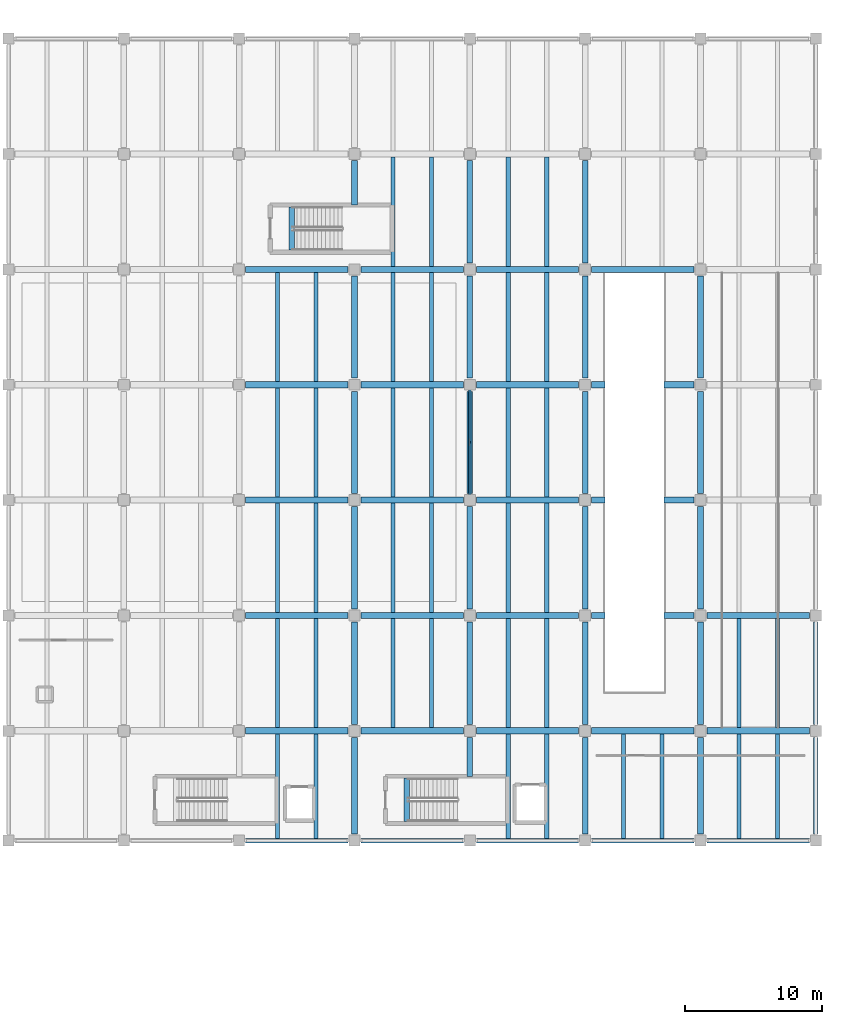
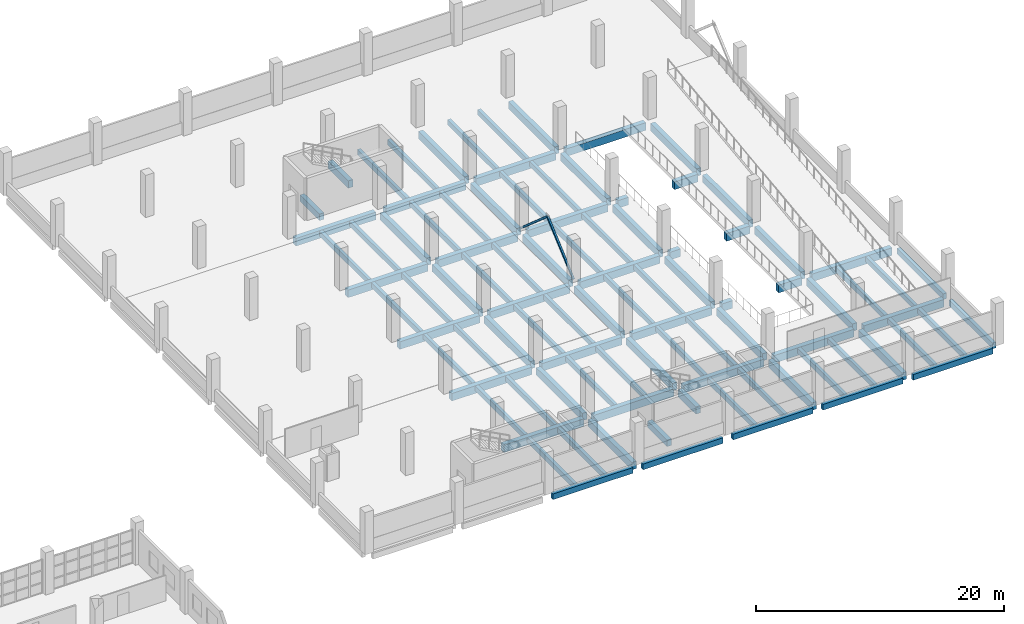
# One storey, part 112 of 177: 95 beams, 2 members.
"""IFC4 building model written with IfcOpenShell, lengths in metres."""

from ifc_helpers import new_model, si_unit, direction, frame, origin, origin_2d, place, context, subcontext, project, spatial, rectangle, hollow_rectangle, extrude, material, material_profile, profile_set, type_object, element, save


model = new_model("IFC4")

# Units and contexts
model_context = context("Model", 3, precision=1e-05, world=origin(), true_north=direction((0.0, 1.0)))
body_context = subcontext(model_context, "Body", "Model", "MODEL_VIEW")
ifc_project = project(units=[si_unit("LENGTHUNIT", "METRE"), si_unit("AREAUNIT", "SQUARE_METRE"), si_unit("VOLUMEUNIT", "CUBIC_METRE"), si_unit("PLANEANGLEUNIT", "RADIAN"), si_unit("MASSUNIT", "GRAM", prefix="KILO"), si_unit("THERMODYNAMICTEMPERATUREUNIT", "KELVIN"), si_unit("POWERUNIT", "WATT")], contexts=[model_context])

# Site, building, storey
site_placement = place(None, origin())
site = spatial("IfcSite", under=ifc_project, at=site_placement, CompositionType="ELEMENT")
building_placement = place(site_placement, origin())
building = spatial("IfcBuilding", under=site, at=building_placement, Name="Mavoryth Pier Ferry Terminal", CompositionType="ELEMENT")
storey_placement = place(building_placement, frame((0.0, 0.0, 5.43994140625)))
storey = spatial("IfcBuildingStorey", under=building, at=storey_placement, Name="L01", CompositionType="ELEMENT", Elevation=5.43994140625)

# Members
ifc_material_1 = material(Name="Steel S355J2", Category="steel")
ifc_material_profile_1 = material_profile(ifc_material_1, hollow_rectangle(XDim=0.179931640625, YDim=0.179931640625, WallThickness=0.010009765625, InnerFilletRadius=0.010009765625, OuterFilletRadius=0.02001953125, at=origin_2d()), Name="RHS 180x180x10.0", Category="steel")
ifc_profile_set_1 = profile_set([ifc_material_profile_1], Name="Steel S355J2 - RHS 180x180x10.0")
member_type = type_object("IfcMemberType", Name="Brace-Box-RHS180", PredefinedType="BRACE", material=ifc_profile_set_1)
for number, where, z_axis, x_axis, name in (
    (1, (142.800048828125, 38.800048828125, 0.0), (0.0, 0.753891827784, 0.656998563165), (-1.0, 0.0, 0.0), "Steel Member MB-L01-0318"),
    (2, (142.800048828125, 47.199951171875, 0.0), (0.0, -0.753891827784, 0.656998563165), (1.0, 0.0, 0.0), "Steel Member MB-L01-0319"),
):
    element("IfcMember", number, at=place(storey_placement, frame(where, z_axis=z_axis, x_axis=x_axis)), inside=storey, type_object=member_type, Name=name, PredefinedType="BRACE", context=body_context, shape_type="SweptSolid", body=[
        extrude(hollow_rectangle(XDim=0.179931640625, YDim=0.179931640625, WallThickness=0.010009765625, InnerFilletRadius=0.010009765625, OuterFilletRadius=0.02001953125, at=origin_2d()), origin(), (0.0, 0.0, 1.0), 5.571044921875),
    ])

# Beams
ifc_material_2 = material(Name="Concrete C35/45", Category="concrete")
ifc_material_profile_2 = material_profile(ifc_material_2, rectangle(XDim=0.39990234375, YDim=0.64990234375, at=origin_2d()), Name="RC 400x650", Category="concrete")
ifc_profile_set_2 = profile_set([ifc_material_profile_2], Name="Concrete C35/45 - RC 400x650")
beam_type_1 = type_object("IfcBeamType", Name="Girder-RC-400x650", PredefinedType="BEAM", material=ifc_profile_set_2)
beam_1_placement = place(storey_placement, frame((138.219970703125, 15.39990234375, -0.324951171875), z_axis=(0.0, 1.0, 0.0), x_axis=(-1.0, 0.0, 0.0)))
element("IfcBeam", 3, at=beam_1_placement, inside=storey, type_object=beam_type_1, Name="Beam B01-BG05-1578", PredefinedType="BEAM", context=body_context, shape_type="SweptSolid", body=[
    extrude(rectangle(XDim=0.39990234375, YDim=0.64990234375, at=origin_2d()), origin(), (0.0, 0.0, 1.0), 3.150146484375),
])
beam_2_placement = place(storey_placement, frame((129.820068359375, 57.0, -0.324951171875), z_axis=(0.0, 1.0, 0.0), x_axis=(-1.0, 0.0, 0.0)))
element("IfcBeam", 4, at=beam_2_placement, inside=storey, type_object=beam_type_1, Name="Beam B01-BG05-1581", PredefinedType="BEAM", context=body_context, shape_type="SweptSolid", body=[
    extrude(rectangle(XDim=0.39990234375, YDim=0.64990234375, at=origin_2d()), origin(), (0.0, 0.0, 1.0), 3.14990234375),
])
ifc_material_profile_3 = material_profile(ifc_material_2, rectangle(XDim=0.419921875, YDim=0.719970703125, at=origin_2d()), Name="RC 420x720", Category="concrete")
ifc_profile_set_3 = profile_set([ifc_material_profile_3], Name="Concrete C35/45 - RC 420x720")
beam_type_2 = type_object("IfcBeamType", Name="Girder-RC-420x720", PredefinedType="BEAM", material=ifc_profile_set_3)
beam_3_placement = place(storey_placement, frame((134.39990234375, 14.47509765625, -0.679931640625), z_axis=(0.0, 1.0, 0.0), x_axis=(-1.0, 0.0, 0.0)))
element("IfcBeam", 5, at=beam_3_placement, inside=storey, type_object=beam_type_2, Name="Beam B01-BG03-0391", PredefinedType="BEAM", context=body_context, shape_type="SweptSolid", body=[
    extrude(rectangle(XDim=0.419921875, YDim=0.719970703125, at=origin_2d()), origin(), (0.0, 0.0, 1.0), 7.0498046875),
])
for number, where, z_axis, x_axis, name in (
    (6, (134.39990234375, 22.47509765625, -0.679931640625), (0.0, 1.0, 0.0), (-1.0, 0.0, 0.0), "Beam B01-BG03-0392"),
    (7, (134.39990234375, 30.875, -0.679931640625), (0.0, 1.0, 0.0), (-1.0, 0.0, 0.0), "Beam B01-BG03-0393"),
):
    element("IfcBeam", number, at=place(storey_placement, frame(where, z_axis=z_axis, x_axis=x_axis)), inside=storey, type_object=beam_type_2, Name=name, PredefinedType="BEAM", context=body_context, shape_type="SweptSolid", body=[
        extrude(rectangle(XDim=0.419921875, YDim=0.719970703125, at=origin_2d()), origin(), (0.0, 0.0, 1.0), 7.449951171875),
    ])
beam_4_placement = place(storey_placement, frame((134.39990234375, 39.27490234375, -0.679931640625), z_axis=(0.0, 1.0, 0.0), x_axis=(-1.0, 0.0, 0.0)))
element("IfcBeam", 8, at=beam_4_placement, inside=storey, type_object=beam_type_2, Name="Beam B01-BG03-0394", PredefinedType="BEAM", context=body_context, shape_type="SweptSolid", body=[
    extrude(rectangle(XDim=0.419921875, YDim=0.719970703125, at=origin_2d()), origin(), (0.0, 0.0, 1.0), 7.4501953125),
])
beam_5_placement = place(storey_placement, frame((134.39990234375, 47.675048828125, -0.679931640625), z_axis=(0.0, 1.0, 0.0), x_axis=(-1.0, 0.0, 0.0)))
element("IfcBeam", 9, at=beam_5_placement, inside=storey, type_object=beam_type_2, Name="Beam B01-BG03-0395", PredefinedType="BEAM", context=body_context, shape_type="SweptSolid", body=[
    extrude(rectangle(XDim=0.419921875, YDim=0.719970703125, at=origin_2d()), origin(), (0.0, 0.0, 1.0), 7.449951171875),
])
beam_6_placement = place(storey_placement, frame((134.39990234375, 60.280029296875, -0.679931640625), z_axis=(0.0, 1.0, 0.0), x_axis=(-1.0, 0.0, 0.0)))
element("IfcBeam", 10, at=beam_6_placement, inside=storey, type_object=beam_type_2, Name="Beam B01-BG03-0396", PredefinedType="BEAM", context=body_context, shape_type="SweptSolid", body=[
    extrude(rectangle(XDim=0.419921875, YDim=0.719970703125, at=origin_2d()), origin(), (0.0, 0.0, 1.0), 3.244873046875),
])
beam_7_placement = place(storey_placement, frame((142.800048828125, 18.679931640625, -0.679931640625), z_axis=(0.0, 1.0, 0.0), x_axis=(-1.0, 0.0, 0.0)))
element("IfcBeam", 11, at=beam_7_placement, inside=storey, type_object=beam_type_2, Name="Beam B01-BG03-0398", PredefinedType="BEAM", context=body_context, shape_type="SweptSolid", body=[
    extrude(rectangle(XDim=0.419921875, YDim=0.719970703125, at=origin_2d()), origin(), (0.0, 0.0, 1.0), 2.844970703125),
])
for number, where, z_axis, x_axis, name in (
    (12, (142.800048828125, 22.47509765625, -0.679931640625), (0.0, 1.0, 0.0), (-1.0, 0.0, 0.0), "Beam B01-BG03-0399"),
    (13, (142.800048828125, 30.875, -0.679931640625), (0.0, 1.0, 0.0), (-1.0, 0.0, 0.0), "Beam B01-BG03-0400"),
):
    element("IfcBeam", number, at=place(storey_placement, frame(where, z_axis=z_axis, x_axis=x_axis)), inside=storey, type_object=beam_type_2, Name=name, PredefinedType="BEAM", context=body_context, shape_type="SweptSolid", body=[
        extrude(rectangle(XDim=0.419921875, YDim=0.719970703125, at=origin_2d()), origin(), (0.0, 0.0, 1.0), 7.449951171875),
    ])
beam_8_placement = place(storey_placement, frame((142.800048828125, 39.27490234375, -0.679931640625), z_axis=(0.0, 1.0, 0.0), x_axis=(-1.0, 0.0, 0.0)))
element("IfcBeam", 14, at=beam_8_placement, inside=storey, type_object=beam_type_2, Name="Beam B01-BG03-0401", PredefinedType="BEAM", context=body_context, shape_type="SweptSolid", body=[
    extrude(rectangle(XDim=0.419921875, YDim=0.719970703125, at=origin_2d()), origin(), (0.0, 0.0, 1.0), 7.4501953125),
])
for number, where, z_axis, x_axis, name in (
    (15, (142.800048828125, 47.675048828125, -0.679931640625), (0.0, 1.0, 0.0), (-1.0, 0.0, 0.0), "Beam B01-BG03-0402"),
    (16, (142.800048828125, 56.074951171875, -0.679931640625), (0.0, 1.0, 0.0), (-1.0, 0.0, 0.0), "Beam B01-BG03-0403"),
):
    element("IfcBeam", number, at=place(storey_placement, frame(where, z_axis=z_axis, x_axis=x_axis)), inside=storey, type_object=beam_type_2, Name=name, PredefinedType="BEAM", context=body_context, shape_type="SweptSolid", body=[
        extrude(rectangle(XDim=0.419921875, YDim=0.719970703125, at=origin_2d()), origin(), (0.0, 0.0, 1.0), 7.449951171875),
    ])
beam_9_placement = place(storey_placement, frame((151.199951171875, 14.47509765625, -0.679931640625), z_axis=(0.0, 1.0, 0.0), x_axis=(-1.0, 0.0, 0.0)))
element("IfcBeam", 17, at=beam_9_placement, inside=storey, type_object=beam_type_2, Name="Beam B01-BG03-0405", PredefinedType="BEAM", context=body_context, shape_type="SweptSolid", body=[
    extrude(rectangle(XDim=0.419921875, YDim=0.719970703125, at=origin_2d()), origin(), (0.0, 0.0, 1.0), 7.0498046875),
])
for number, where, z_axis, x_axis, name in (
    (18, (151.199951171875, 22.47509765625, -0.679931640625), (0.0, 1.0, 0.0), (-1.0, 0.0, 0.0), "Beam B01-BG03-0406"),
    (19, (151.199951171875, 30.875, -0.679931640625), (0.0, 1.0, 0.0), (-1.0, 0.0, 0.0), "Beam B01-BG03-0407"),
):
    element("IfcBeam", number, at=place(storey_placement, frame(where, z_axis=z_axis, x_axis=x_axis)), inside=storey, type_object=beam_type_2, Name=name, PredefinedType="BEAM", context=body_context, shape_type="SweptSolid", body=[
        extrude(rectangle(XDim=0.419921875, YDim=0.719970703125, at=origin_2d()), origin(), (0.0, 0.0, 1.0), 7.449951171875),
    ])
beam_10_placement = place(storey_placement, frame((151.199951171875, 39.27490234375, -0.679931640625), z_axis=(0.0, 1.0, 0.0), x_axis=(-1.0, 0.0, 0.0)))
element("IfcBeam", 20, at=beam_10_placement, inside=storey, type_object=beam_type_2, Name="Beam B01-BG03-0408", PredefinedType="BEAM", context=body_context, shape_type="SweptSolid", body=[
    extrude(rectangle(XDim=0.419921875, YDim=0.719970703125, at=origin_2d()), origin(), (0.0, 0.0, 1.0), 7.4501953125),
])
for number, where, z_axis, x_axis, name in (
    (21, (151.199951171875, 47.675048828125, -0.679931640625), (0.0, 1.0, 0.0), (-1.0, 0.0, 0.0), "Beam B01-BG03-0409"),
    (22, (151.199951171875, 56.074951171875, -0.679931640625), (0.0, 1.0, 0.0), (-1.0, 0.0, 0.0), "Beam B01-BG03-0410"),
):
    element("IfcBeam", number, at=place(storey_placement, frame(where, z_axis=z_axis, x_axis=x_axis)), inside=storey, type_object=beam_type_2, Name=name, PredefinedType="BEAM", context=body_context, shape_type="SweptSolid", body=[
        extrude(rectangle(XDim=0.419921875, YDim=0.719970703125, at=origin_2d()), origin(), (0.0, 0.0, 1.0), 7.449951171875),
    ])
beam_11_placement = place(storey_placement, frame((159.60009765625, 14.47509765625, -0.679931640625), z_axis=(0.0, 1.0, 0.0), x_axis=(-1.0, 0.0, 0.0)))
element("IfcBeam", 23, at=beam_11_placement, inside=storey, type_object=beam_type_2, Name="Beam B01-BG03-0412", PredefinedType="BEAM", context=body_context, shape_type="SweptSolid", body=[
    extrude(rectangle(XDim=0.419921875, YDim=0.719970703125, at=origin_2d()), origin(), (0.0, 0.0, 1.0), 7.0498046875),
])
for number, where, z_axis, x_axis, name in (
    (24, (159.60009765625, 22.47509765625, -0.679931640625), (0.0, 1.0, 0.0), (-1.0, 0.0, 0.0), "Beam B01-BG03-0413"),
    (25, (159.60009765625, 30.875, -0.679931640625), (0.0, 1.0, 0.0), (-1.0, 0.0, 0.0), "Beam B01-BG03-0414"),
):
    element("IfcBeam", number, at=place(storey_placement, frame(where, z_axis=z_axis, x_axis=x_axis)), inside=storey, type_object=beam_type_2, Name=name, PredefinedType="BEAM", context=body_context, shape_type="SweptSolid", body=[
        extrude(rectangle(XDim=0.419921875, YDim=0.719970703125, at=origin_2d()), origin(), (0.0, 0.0, 1.0), 7.449951171875),
    ])
beam_12_placement = place(storey_placement, frame((159.60009765625, 39.27490234375, -0.679931640625), z_axis=(0.0, 1.0, 0.0), x_axis=(-1.0, 0.0, 0.0)))
element("IfcBeam", 26, at=beam_12_placement, inside=storey, type_object=beam_type_2, Name="Beam B01-BG03-0415", PredefinedType="BEAM", context=body_context, shape_type="SweptSolid", body=[
    extrude(rectangle(XDim=0.419921875, YDim=0.719970703125, at=origin_2d()), origin(), (0.0, 0.0, 1.0), 7.4501953125),
])
beam_13_placement = place(storey_placement, frame((159.60009765625, 47.675048828125, -0.679931640625), z_axis=(0.0, 1.0, 0.0), x_axis=(-1.0, 0.0, 0.0)))
element("IfcBeam", 27, at=beam_13_placement, inside=storey, type_object=beam_type_2, Name="Beam B01-BG03-0416", PredefinedType="BEAM", context=body_context, shape_type="SweptSolid", body=[
    extrude(rectangle(XDim=0.419921875, YDim=0.719970703125, at=origin_2d()), origin(), (0.0, 0.0, 1.0), 7.449951171875),
])
ifc_material_profile_4 = material_profile(ifc_material_2, rectangle(XDim=0.449951171875, YDim=0.75, at=origin_2d()), Name="RC 450x750", Category="concrete")
ifc_profile_set_4 = profile_set([ifc_material_profile_4], Name="Concrete C35/45 - RC 450x750")
beam_type_3 = type_object("IfcBeamType", Name="Girder-RC-450x750", PredefinedType="BEAM", material=ifc_profile_set_4)
for number, where, z_axis, x_axis, name in (
    (28, (126.47509765625, 22.0, -0.69482421875), (1.0, 0.0, 0.0), (0.0, 1.0, 0.0), "Beam B01-BG02-0320"),
    (29, (134.875, 22.0, -0.69482421875), (1.0, 0.0, 0.0), (0.0, 1.0, 0.0), "Beam B01-BG02-0321"),
):
    element("IfcBeam", number, at=place(storey_placement, frame(where, z_axis=z_axis, x_axis=x_axis)), inside=storey, type_object=beam_type_3, Name=name, PredefinedType="BEAM", context=body_context, shape_type="SweptSolid", body=[
        extrude(rectangle(XDim=0.449951171875, YDim=0.75, at=origin_2d()), origin(), (0.0, 0.0, 1.0), 7.449951171875),
    ])
beam_14_placement = place(storey_placement, frame((143.27490234375, 22.0, -0.69482421875), z_axis=(1.0, 0.0, 0.0), x_axis=(0.0, 1.0, 0.0)))
element("IfcBeam", 30, at=beam_14_placement, inside=storey, type_object=beam_type_3, Name="Beam B01-BG02-0322", PredefinedType="BEAM", context=body_context, shape_type="SweptSolid", body=[
    extrude(rectangle(XDim=0.449951171875, YDim=0.75, at=origin_2d()), origin(), (0.0, 0.0, 1.0), 7.4501953125),
])
for number, where, z_axis, x_axis, name in (
    (31, (151.675048828125, 22.0, -0.69482421875), (1.0, 0.0, 0.0), (0.0, 1.0, 0.0), "Beam B01-BG02-0323"),
    (32, (160.074951171875, 22.0, -0.69482421875), (1.0, 0.0, 0.0), (0.0, 1.0, 0.0), "Beam B01-BG02-0324"),
    (33, (126.47509765625, 30.39990234375, -0.69482421875), (1.0, 0.0, 0.0), (0.0, 1.0, 0.0), "Beam B01-BG02-0327"),
    (34, (134.875, 30.39990234375, -0.69482421875), (1.0, 0.0, 0.0), (0.0, 1.0, 0.0), "Beam B01-BG02-0328"),
):
    element("IfcBeam", number, at=place(storey_placement, frame(where, z_axis=z_axis, x_axis=x_axis)), inside=storey, type_object=beam_type_3, Name=name, PredefinedType="BEAM", context=body_context, shape_type="SweptSolid", body=[
        extrude(rectangle(XDim=0.449951171875, YDim=0.75, at=origin_2d()), origin(), (0.0, 0.0, 1.0), 7.449951171875),
    ])
beam_15_placement = place(storey_placement, frame((143.27490234375, 30.39990234375, -0.69482421875), z_axis=(1.0, 0.0, 0.0), x_axis=(0.0, 1.0, 0.0)))
element("IfcBeam", 35, at=beam_15_placement, inside=storey, type_object=beam_type_3, Name="Beam B01-BG02-0329", PredefinedType="BEAM", context=body_context, shape_type="SweptSolid", body=[
    extrude(rectangle(XDim=0.449951171875, YDim=0.75, at=origin_2d()), origin(), (0.0, 0.0, 1.0), 7.4501953125),
])
beam_16_placement = place(storey_placement, frame((151.675048828125, 30.39990234375, -0.69482421875), z_axis=(1.0, 0.0, 0.0), x_axis=(0.0, 1.0, 0.0)))
element("IfcBeam", 36, at=beam_16_placement, inside=storey, type_object=beam_type_3, Name="Beam B01-BG02-0330", PredefinedType="BEAM", context=body_context, shape_type="SweptSolid", body=[
    extrude(rectangle(XDim=0.449951171875, YDim=0.75, at=origin_2d()), origin(), (0.0, 0.0, 1.0), 0.98486328125),
])
beam_17_placement = place(storey_placement, frame((156.93994140625, 30.39990234375, -0.69482421875), z_axis=(1.0, 0.0, 0.0), x_axis=(0.0, 1.0, 0.0)))
element("IfcBeam", 37, at=beam_17_placement, inside=storey, type_object=beam_type_3, Name="Beam B01-BG02-0331", PredefinedType="BEAM", context=body_context, shape_type="SweptSolid", body=[
    extrude(rectangle(XDim=0.449951171875, YDim=0.75, at=origin_2d()), origin(), (0.0, 0.0, 1.0), 2.18505859375),
])
for number, where, z_axis, x_axis, name in (
    (38, (160.074951171875, 30.39990234375, -0.69482421875), (1.0, 0.0, 0.0), (0.0, 1.0, 0.0), "Beam B01-BG02-0332"),
    (39, (126.47509765625, 38.800048828125, -0.69482421875), (1.0, 0.0, 0.0), (0.0, 1.0, 0.0), "Beam B01-BG02-0335"),
    (40, (134.875, 38.800048828125, -0.69482421875), (1.0, 0.0, 0.0), (0.0, 1.0, 0.0), "Beam B01-BG02-0336"),
):
    element("IfcBeam", number, at=place(storey_placement, frame(where, z_axis=z_axis, x_axis=x_axis)), inside=storey, type_object=beam_type_3, Name=name, PredefinedType="BEAM", context=body_context, shape_type="SweptSolid", body=[
        extrude(rectangle(XDim=0.449951171875, YDim=0.75, at=origin_2d()), origin(), (0.0, 0.0, 1.0), 7.449951171875),
    ])
beam_18_placement = place(storey_placement, frame((143.27490234375, 38.800048828125, -0.69482421875), z_axis=(1.0, 0.0, 0.0), x_axis=(0.0, 1.0, 0.0)))
element("IfcBeam", 41, at=beam_18_placement, inside=storey, type_object=beam_type_3, Name="Beam B01-BG02-0337", PredefinedType="BEAM", context=body_context, shape_type="SweptSolid", body=[
    extrude(rectangle(XDim=0.449951171875, YDim=0.75, at=origin_2d()), origin(), (0.0, 0.0, 1.0), 7.4501953125),
])
beam_19_placement = place(storey_placement, frame((151.675048828125, 38.800048828125, -0.69482421875), z_axis=(1.0, 0.0, 0.0), x_axis=(0.0, 1.0, 0.0)))
element("IfcBeam", 42, at=beam_19_placement, inside=storey, type_object=beam_type_3, Name="Beam B01-BG02-0338", PredefinedType="BEAM", context=body_context, shape_type="SweptSolid", body=[
    extrude(rectangle(XDim=0.449951171875, YDim=0.75, at=origin_2d()), origin(), (0.0, 0.0, 1.0), 0.98486328125),
])
beam_20_placement = place(storey_placement, frame((156.93994140625, 38.800048828125, -0.69482421875), z_axis=(1.0, 0.0, 0.0), x_axis=(0.0, 1.0, 0.0)))
element("IfcBeam", 43, at=beam_20_placement, inside=storey, type_object=beam_type_3, Name="Beam B01-BG02-0339", PredefinedType="BEAM", context=body_context, shape_type="SweptSolid", body=[
    extrude(rectangle(XDim=0.449951171875, YDim=0.75, at=origin_2d()), origin(), (0.0, 0.0, 1.0), 2.18505859375),
])
for number, where, z_axis, x_axis, name in (
    (44, (126.47509765625, 47.199951171875, -0.69482421875), (1.0, 0.0, 0.0), (0.0, 1.0, 0.0), "Beam B01-BG02-0343"),
    (45, (134.875, 47.199951171875, -0.69482421875), (1.0, 0.0, 0.0), (0.0, 1.0, 0.0), "Beam B01-BG02-0344"),
):
    element("IfcBeam", number, at=place(storey_placement, frame(where, z_axis=z_axis, x_axis=x_axis)), inside=storey, type_object=beam_type_3, Name=name, PredefinedType="BEAM", context=body_context, shape_type="SweptSolid", body=[
        extrude(rectangle(XDim=0.449951171875, YDim=0.75, at=origin_2d()), origin(), (0.0, 0.0, 1.0), 7.449951171875),
    ])
beam_21_placement = place(storey_placement, frame((143.27490234375, 47.199951171875, -0.69482421875), z_axis=(1.0, 0.0, 0.0), x_axis=(0.0, 1.0, 0.0)))
element("IfcBeam", 46, at=beam_21_placement, inside=storey, type_object=beam_type_3, Name="Beam B01-BG02-0345", PredefinedType="BEAM", context=body_context, shape_type="SweptSolid", body=[
    extrude(rectangle(XDim=0.449951171875, YDim=0.75, at=origin_2d()), origin(), (0.0, 0.0, 1.0), 7.4501953125),
])
beam_22_placement = place(storey_placement, frame((151.675048828125, 47.199951171875, -0.69482421875), z_axis=(1.0, 0.0, 0.0), x_axis=(0.0, 1.0, 0.0)))
element("IfcBeam", 47, at=beam_22_placement, inside=storey, type_object=beam_type_3, Name="Beam B01-BG02-0346", PredefinedType="BEAM", context=body_context, shape_type="SweptSolid", body=[
    extrude(rectangle(XDim=0.449951171875, YDim=0.75, at=origin_2d()), origin(), (0.0, 0.0, 1.0), 0.98486328125),
])
beam_23_placement = place(storey_placement, frame((156.93994140625, 47.199951171875, -0.69482421875), z_axis=(1.0, 0.0, 0.0), x_axis=(0.0, 1.0, 0.0)))
element("IfcBeam", 48, at=beam_23_placement, inside=storey, type_object=beam_type_3, Name="Beam B01-BG02-0347", PredefinedType="BEAM", context=body_context, shape_type="SweptSolid", body=[
    extrude(rectangle(XDim=0.449951171875, YDim=0.75, at=origin_2d()), origin(), (0.0, 0.0, 1.0), 2.18505859375),
])
for number, where, z_axis, x_axis, name in (
    (49, (126.47509765625, 55.60009765625, -0.69482421875), (1.0, 0.0, 0.0), (0.0, 1.0, 0.0), "Beam B01-BG02-0351"),
    (50, (134.875, 55.60009765625, -0.69482421875), (1.0, 0.0, 0.0), (0.0, 1.0, 0.0), "Beam B01-BG02-0352"),
):
    element("IfcBeam", number, at=place(storey_placement, frame(where, z_axis=z_axis, x_axis=x_axis)), inside=storey, type_object=beam_type_3, Name=name, PredefinedType="BEAM", context=body_context, shape_type="SweptSolid", body=[
        extrude(rectangle(XDim=0.449951171875, YDim=0.75, at=origin_2d()), origin(), (0.0, 0.0, 1.0), 7.449951171875),
    ])
beam_24_placement = place(storey_placement, frame((143.27490234375, 55.60009765625, -0.69482421875), z_axis=(1.0, 0.0, 0.0), x_axis=(0.0, 1.0, 0.0)))
element("IfcBeam", 51, at=beam_24_placement, inside=storey, type_object=beam_type_3, Name="Beam B01-BG02-0353", PredefinedType="BEAM", context=body_context, shape_type="SweptSolid", body=[
    extrude(rectangle(XDim=0.449951171875, YDim=0.75, at=origin_2d()), origin(), (0.0, 0.0, 1.0), 7.4501953125),
])
beam_25_placement = place(storey_placement, frame((151.675048828125, 55.60009765625, -0.69482421875), z_axis=(1.0, 0.0, 0.0), x_axis=(0.0, 1.0, 0.0)))
element("IfcBeam", 52, at=beam_25_placement, inside=storey, type_object=beam_type_3, Name="Beam B01-BG02-0354", PredefinedType="BEAM", context=body_context, shape_type="SweptSolid", body=[
    extrude(rectangle(XDim=0.449951171875, YDim=0.75, at=origin_2d()), origin(), (0.0, 0.0, 1.0), 7.449951171875),
])
ifc_material_profile_5 = material_profile(ifc_material_2, rectangle(XDim=0.300048828125, YDim=0.5, at=origin_2d()), Name="RC 300x500", Category="concrete")
ifc_profile_set_5 = profile_set([ifc_material_profile_5], Name="Concrete C35/45 - RC 300x500")
beam_type_4 = type_object("IfcBeamType", Name="Joist-RC-300x500", PredefinedType="JOIST", material=ifc_profile_set_5)
for number, where, z_axis, x_axis, name in (
    (53, (128.800048828125, 14.159912109375, -0.56982421875), (0.0, 1.0, 0.0), (-1.0, 0.0, 0.0), "Beam B01-BJ01-0452"),
    (54, (131.60009765625, 14.159912109375, -0.56982421875), (0.0, 1.0, 0.0), (-1.0, 0.0, 0.0), "Beam B01-BJ01-0453"),
):
    element("IfcBeam", number, at=place(storey_placement, frame(where, z_axis=z_axis, x_axis=x_axis)), inside=storey, type_object=beam_type_4, Name=name, PredefinedType="JOIST", context=body_context, shape_type="SweptSolid", body=[
        extrude(rectangle(XDim=0.300048828125, YDim=0.5, at=origin_2d()), origin(), (0.0, 0.0, 1.0), 7.614990234375),
    ])
for number, where, z_axis, x_axis, name in (
    (55, (128.800048828125, 22.22509765625, -0.56982421875), (0.0, 1.0, 0.0), (-1.0, 0.0, 0.0), "Beam B01-BJ01-0454"),
    (56, (131.60009765625, 22.22509765625, -0.56982421875), (0.0, 1.0, 0.0), (-1.0, 0.0, 0.0), "Beam B01-BJ01-0455"),
    (57, (128.800048828125, 30.625, -0.56982421875), (0.0, 1.0, 0.0), (-1.0, 0.0, 0.0), "Beam B01-BJ01-0456"),
    (58, (131.60009765625, 30.625, -0.56982421875), (0.0, 1.0, 0.0), (-1.0, 0.0, 0.0), "Beam B01-BJ01-0457"),
):
    element("IfcBeam", number, at=place(storey_placement, frame(where, z_axis=z_axis, x_axis=x_axis)), inside=storey, type_object=beam_type_4, Name=name, PredefinedType="JOIST", context=body_context, shape_type="SweptSolid", body=[
        extrude(rectangle(XDim=0.300048828125, YDim=0.5, at=origin_2d()), origin(), (0.0, 0.0, 1.0), 7.949951171875),
    ])
for number, where, z_axis, x_axis, name in (
    (59, (128.800048828125, 39.02490234375, -0.56982421875), (0.0, 1.0, 0.0), (-1.0, 0.0, 0.0), "Beam B01-BJ01-0458"),
    (60, (131.60009765625, 39.02490234375, -0.56982421875), (0.0, 1.0, 0.0), (-1.0, 0.0, 0.0), "Beam B01-BJ01-0459"),
):
    element("IfcBeam", number, at=place(storey_placement, frame(where, z_axis=z_axis, x_axis=x_axis)), inside=storey, type_object=beam_type_4, Name=name, PredefinedType="JOIST", context=body_context, shape_type="SweptSolid", body=[
        extrude(rectangle(XDim=0.300048828125, YDim=0.5, at=origin_2d()), origin(), (0.0, 0.0, 1.0), 7.9501953125),
    ])
for number, where, z_axis, x_axis, name in (
    (61, (128.800048828125, 47.425048828125, -0.56982421875), (0.0, 1.0, 0.0), (-1.0, 0.0, 0.0), "Beam B01-BJ01-0460"),
    (62, (131.60009765625, 47.425048828125, -0.56982421875), (0.0, 1.0, 0.0), (-1.0, 0.0, 0.0), "Beam B01-BJ01-0461"),
    (63, (137.199951171875, 22.22509765625, -0.56982421875), (0.0, 1.0, 0.0), (-1.0, 0.0, 0.0), "Beam B01-BJ01-0464"),
    (64, (140.0, 22.22509765625, -0.56982421875), (0.0, 1.0, 0.0), (-1.0, 0.0, 0.0), "Beam B01-BJ01-0465"),
    (65, (137.199951171875, 30.625, -0.56982421875), (0.0, 1.0, 0.0), (-1.0, 0.0, 0.0), "Beam B01-BJ01-0466"),
    (66, (140.0, 30.625, -0.56982421875), (0.0, 1.0, 0.0), (-1.0, 0.0, 0.0), "Beam B01-BJ01-0467"),
):
    element("IfcBeam", number, at=place(storey_placement, frame(where, z_axis=z_axis, x_axis=x_axis)), inside=storey, type_object=beam_type_4, Name=name, PredefinedType="JOIST", context=body_context, shape_type="SweptSolid", body=[
        extrude(rectangle(XDim=0.300048828125, YDim=0.5, at=origin_2d()), origin(), (0.0, 0.0, 1.0), 7.949951171875),
    ])
for number, where, z_axis, x_axis, name in (
    (67, (137.199951171875, 39.02490234375, -0.56982421875), (0.0, 1.0, 0.0), (-1.0, 0.0, 0.0), "Beam B01-BJ01-0468"),
    (68, (140.0, 39.02490234375, -0.56982421875), (0.0, 1.0, 0.0), (-1.0, 0.0, 0.0), "Beam B01-BJ01-0469"),
):
    element("IfcBeam", number, at=place(storey_placement, frame(where, z_axis=z_axis, x_axis=x_axis)), inside=storey, type_object=beam_type_4, Name=name, PredefinedType="JOIST", context=body_context, shape_type="SweptSolid", body=[
        extrude(rectangle(XDim=0.300048828125, YDim=0.5, at=origin_2d()), origin(), (0.0, 0.0, 1.0), 7.9501953125),
    ])
for number, where, z_axis, x_axis, name in (
    (69, (137.199951171875, 47.425048828125, -0.56982421875), (0.0, 1.0, 0.0), (-1.0, 0.0, 0.0), "Beam B01-BJ01-0470"),
    (70, (140.0, 47.425048828125, -0.56982421875), (0.0, 1.0, 0.0), (-1.0, 0.0, 0.0), "Beam B01-BJ01-0471"),
    (71, (137.199951171875, 55.824951171875, -0.56982421875), (0.0, 1.0, 0.0), (-1.0, 0.0, 0.0), "Beam B01-BJ01-0472"),
    (72, (140.0, 55.824951171875, -0.56982421875), (0.0, 1.0, 0.0), (-1.0, 0.0, 0.0), "Beam B01-BJ01-0473"),
):
    element("IfcBeam", number, at=place(storey_placement, frame(where, z_axis=z_axis, x_axis=x_axis)), inside=storey, type_object=beam_type_4, Name=name, PredefinedType="JOIST", context=body_context, shape_type="SweptSolid", body=[
        extrude(rectangle(XDim=0.300048828125, YDim=0.5, at=origin_2d()), origin(), (0.0, 0.0, 1.0), 7.949951171875),
    ])
for number, where, z_axis, x_axis, name in (
    (73, (145.60009765625, 14.159912109375, -0.56982421875), (0.0, 1.0, 0.0), (-1.0, 0.0, 0.0), "Beam B01-BJ01-0476"),
    (74, (148.39990234375, 14.159912109375, -0.56982421875), (0.0, 1.0, 0.0), (-1.0, 0.0, 0.0), "Beam B01-BJ01-0477"),
):
    element("IfcBeam", number, at=place(storey_placement, frame(where, z_axis=z_axis, x_axis=x_axis)), inside=storey, type_object=beam_type_4, Name=name, PredefinedType="JOIST", context=body_context, shape_type="SweptSolid", body=[
        extrude(rectangle(XDim=0.300048828125, YDim=0.5, at=origin_2d()), origin(), (0.0, 0.0, 1.0), 7.614990234375),
    ])
for number, where, z_axis, x_axis, name in (
    (75, (145.60009765625, 22.22509765625, -0.56982421875), (0.0, 1.0, 0.0), (-1.0, 0.0, 0.0), "Beam B01-BJ01-0478"),
    (76, (148.39990234375, 22.22509765625, -0.56982421875), (0.0, 1.0, 0.0), (-1.0, 0.0, 0.0), "Beam B01-BJ01-0479"),
    (77, (145.60009765625, 30.625, -0.56982421875), (0.0, 1.0, 0.0), (-1.0, 0.0, 0.0), "Beam B01-BJ01-0480"),
    (78, (148.39990234375, 30.625, -0.56982421875), (0.0, 1.0, 0.0), (-1.0, 0.0, 0.0), "Beam B01-BJ01-0481"),
):
    element("IfcBeam", number, at=place(storey_placement, frame(where, z_axis=z_axis, x_axis=x_axis)), inside=storey, type_object=beam_type_4, Name=name, PredefinedType="JOIST", context=body_context, shape_type="SweptSolid", body=[
        extrude(rectangle(XDim=0.300048828125, YDim=0.5, at=origin_2d()), origin(), (0.0, 0.0, 1.0), 7.949951171875),
    ])
for number, where, z_axis, x_axis, name in (
    (79, (145.60009765625, 39.02490234375, -0.56982421875), (0.0, 1.0, 0.0), (-1.0, 0.0, 0.0), "Beam B01-BJ01-0482"),
    (80, (148.39990234375, 39.02490234375, -0.56982421875), (0.0, 1.0, 0.0), (-1.0, 0.0, 0.0), "Beam B01-BJ01-0483"),
):
    element("IfcBeam", number, at=place(storey_placement, frame(where, z_axis=z_axis, x_axis=x_axis)), inside=storey, type_object=beam_type_4, Name=name, PredefinedType="JOIST", context=body_context, shape_type="SweptSolid", body=[
        extrude(rectangle(XDim=0.300048828125, YDim=0.5, at=origin_2d()), origin(), (0.0, 0.0, 1.0), 7.9501953125),
    ])
for number, where, z_axis, x_axis, name in (
    (81, (145.60009765625, 47.425048828125, -0.56982421875), (0.0, 1.0, 0.0), (-1.0, 0.0, 0.0), "Beam B01-BJ01-0484"),
    (82, (148.39990234375, 47.425048828125, -0.56982421875), (0.0, 1.0, 0.0), (-1.0, 0.0, 0.0), "Beam B01-BJ01-0485"),
    (83, (145.60009765625, 55.824951171875, -0.56982421875), (0.0, 1.0, 0.0), (-1.0, 0.0, 0.0), "Beam B01-BJ01-0486"),
    (84, (148.39990234375, 55.824951171875, -0.56982421875), (0.0, 1.0, 0.0), (-1.0, 0.0, 0.0), "Beam B01-BJ01-0487"),
):
    element("IfcBeam", number, at=place(storey_placement, frame(where, z_axis=z_axis, x_axis=x_axis)), inside=storey, type_object=beam_type_4, Name=name, PredefinedType="JOIST", context=body_context, shape_type="SweptSolid", body=[
        extrude(rectangle(XDim=0.300048828125, YDim=0.5, at=origin_2d()), origin(), (0.0, 0.0, 1.0), 7.949951171875),
    ])
for number, where, z_axis, x_axis, name in (
    (85, (154.0, 14.159912109375, -0.56982421875), (0.0, 1.0, 0.0), (-1.0, 0.0, 0.0), "Beam B01-BJ01-0490"),
    (86, (156.800048828125, 14.159912109375, -0.56982421875), (0.0, 1.0, 0.0), (-1.0, 0.0, 0.0), "Beam B01-BJ01-0491"),
    (87, (162.39990234375, 14.159912109375, -0.56982421875), (0.0, 1.0, 0.0), (-1.0, 0.0, 0.0), "Beam B01-BJ01-0496"),
    (88, (165.199951171875, 14.159912109375, -0.56982421875), (0.0, 1.0, 0.0), (-1.0, 0.0, 0.0), "Beam B01-BJ01-0497"),
):
    element("IfcBeam", number, at=place(storey_placement, frame(where, z_axis=z_axis, x_axis=x_axis)), inside=storey, type_object=beam_type_4, Name=name, PredefinedType="JOIST", context=body_context, shape_type="SweptSolid", body=[
        extrude(rectangle(XDim=0.300048828125, YDim=0.5, at=origin_2d()), origin(), (0.0, 0.0, 1.0), 7.614990234375),
    ])
for number, where, z_axis, x_axis, name in (
    (89, (162.39990234375, 22.22509765625, -0.56982421875), (0.0, 1.0, 0.0), (-1.0, 0.0, 0.0), "Beam B01-BJ01-0498"),
    (90, (165.199951171875, 22.22509765625, -0.56982421875), (0.0, 1.0, 0.0), (-1.0, 0.0, 0.0), "Beam B01-BJ01-0499"),
):
    element("IfcBeam", number, at=place(storey_placement, frame(where, z_axis=z_axis, x_axis=x_axis)), inside=storey, type_object=beam_type_4, Name=name, PredefinedType="JOIST", context=body_context, shape_type="SweptSolid", body=[
        extrude(rectangle(XDim=0.300048828125, YDim=0.5, at=origin_2d()), origin(), (0.0, 0.0, 1.0), 7.949951171875),
    ])
ifc_material_profile_6 = material_profile(ifc_material_2, rectangle(XDim=0.320068359375, YDim=0.56005859375, at=origin_2d()), Name="RC 320x560", Category="concrete")
ifc_profile_set_6 = profile_set([ifc_material_profile_6], Name="Concrete C35/45 - RC 320x560")
beam_type_5 = type_object("IfcBeamType", Name="Spandrel-RC-320x560", PredefinedType="SPANDREL", material=ifc_profile_set_6)
for number, where, z_axis, x_axis, name in (
    (91, (126.47509765625, 14.0, -0.599853515625), (1.0, 0.0, 0.0), (0.0, 1.0, 0.0), "Beam B01-SP01-0313"),
    (92, (134.875, 14.0, -0.599853515625), (1.0, 0.0, 0.0), (0.0, 1.0, 0.0), "Beam B01-SP01-0314"),
):
    element("IfcBeam", number, at=place(storey_placement, frame(where, z_axis=z_axis, x_axis=x_axis)), inside=storey, type_object=beam_type_5, Name=name, PredefinedType="SPANDREL", context=body_context, shape_type="SweptSolid", body=[
        extrude(rectangle(XDim=0.320068359375, YDim=0.56005859375, at=origin_2d()), origin(), (0.0, 0.0, 1.0), 7.449951171875),
    ])
beam_26_placement = place(storey_placement, frame((143.27490234375, 14.0, -0.599853515625), z_axis=(1.0, 0.0, 0.0), x_axis=(0.0, 1.0, 0.0)))
element("IfcBeam", 93, at=beam_26_placement, inside=storey, type_object=beam_type_5, Name="Beam B01-SP01-0315", PredefinedType="SPANDREL", context=body_context, shape_type="SweptSolid", body=[
    extrude(rectangle(XDim=0.320068359375, YDim=0.56005859375, at=origin_2d()), origin(), (0.0, 0.0, 1.0), 7.4501953125),
])
for number, where, z_axis, x_axis, name in (
    (94, (151.675048828125, 14.0, -0.599853515625), (1.0, 0.0, 0.0), (0.0, 1.0, 0.0), "Beam B01-SP01-0316"),
    (95, (160.074951171875, 14.0, -0.599853515625), (1.0, 0.0, 0.0), (0.0, 1.0, 0.0), "Beam B01-SP01-0317"),
):
    element("IfcBeam", number, at=place(storey_placement, frame(where, z_axis=z_axis, x_axis=x_axis)), inside=storey, type_object=beam_type_5, Name=name, PredefinedType="SPANDREL", context=body_context, shape_type="SweptSolid", body=[
        extrude(rectangle(XDim=0.320068359375, YDim=0.56005859375, at=origin_2d()), origin(), (0.0, 0.0, 1.0), 7.449951171875),
    ])
beam_27_placement = place(storey_placement, frame((168.0, 14.47509765625, -0.599853515625), z_axis=(0.0, 1.0, 0.0), x_axis=(-1.0, 0.0, 0.0)))
element("IfcBeam", 96, at=beam_27_placement, inside=storey, type_object=beam_type_5, Name="Beam B01-SP01-0419", PredefinedType="SPANDREL", context=body_context, shape_type="SweptSolid", body=[
    extrude(rectangle(XDim=0.320068359375, YDim=0.56005859375, at=origin_2d()), origin(), (0.0, 0.0, 1.0), 7.0498046875),
])
beam_28_placement = place(storey_placement, frame((168.0, 22.47509765625, -0.599853515625), z_axis=(0.0, 1.0, 0.0), x_axis=(-1.0, 0.0, 0.0)))
element("IfcBeam", 97, at=beam_28_placement, inside=storey, type_object=beam_type_5, Name="Beam B01-SP01-0420", PredefinedType="SPANDREL", context=body_context, shape_type="SweptSolid", body=[
    extrude(rectangle(XDim=0.320068359375, YDim=0.56005859375, at=origin_2d()), origin(), (0.0, 0.0, 1.0), 7.449951171875),
])

save(model, "model.ifc")
